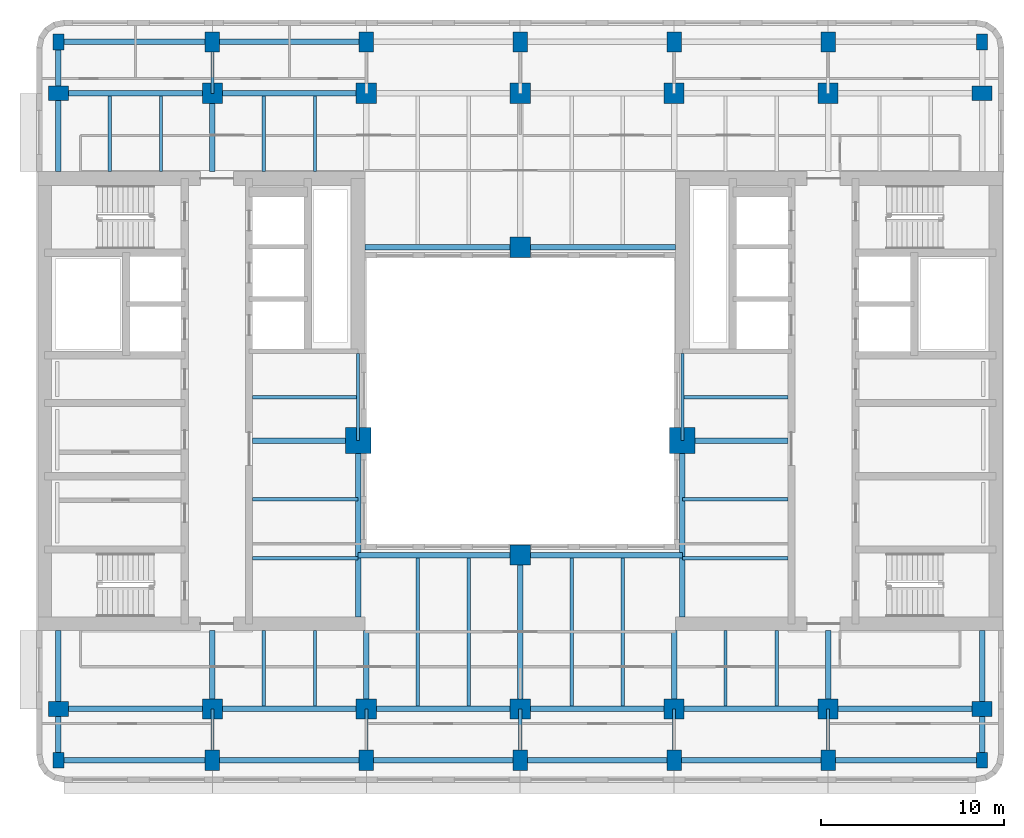
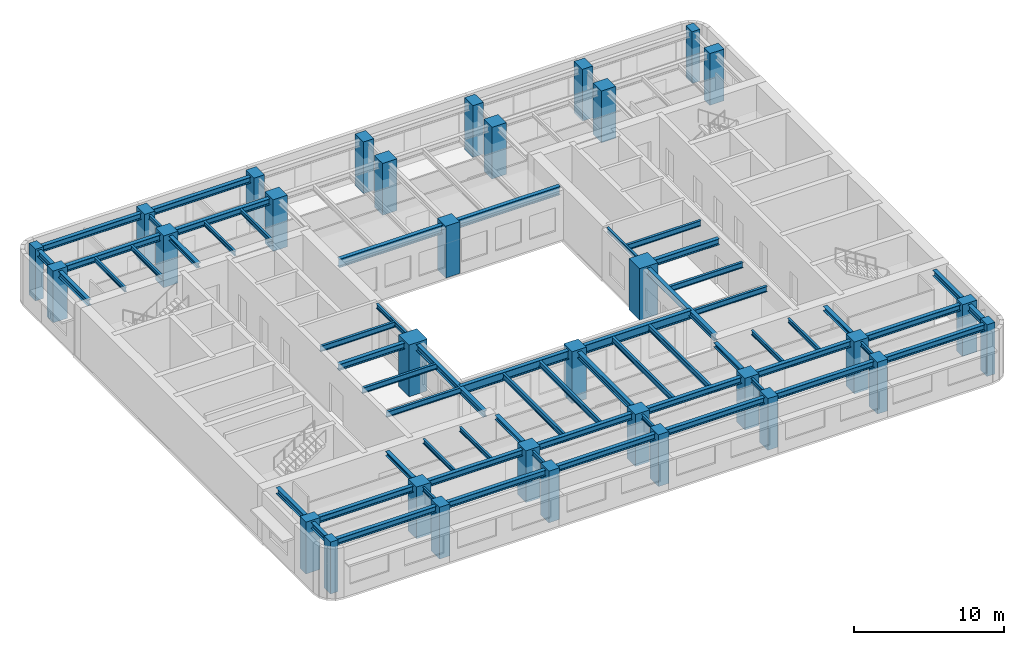
# One storey, part 1 of 11: 62 beams, 32 columns.
"""IFC4 building model written with IfcOpenShell, lengths in metres."""

from ifc_helpers import new_model, si_unit, direction, frame, origin, origin_2d, place, context, subcontext, project, spatial, rectangle, i_section, extrude, material, material_profile, profile_set, type_object, element, save


model = new_model("IFC4")

# Units and contexts
model_context = context("Model", 3, precision=1e-05, world=origin(), true_north=direction((0.0, 1.0)))
body_context = subcontext(model_context, "Body", "Model", "MODEL_VIEW")
ifc_project = project(units=[si_unit("LENGTHUNIT", "METRE"), si_unit("AREAUNIT", "SQUARE_METRE"), si_unit("VOLUMEUNIT", "CUBIC_METRE"), si_unit("PLANEANGLEUNIT", "RADIAN"), si_unit("MASSUNIT", "GRAM", prefix="KILO")], contexts=[model_context])

# Site, building, storey
site_placement = place(None, origin())
site = spatial("IfcSite", under=ifc_project, at=site_placement, CompositionType="ELEMENT")
building_placement = place(site_placement, origin())
building = spatial("IfcBuilding", under=site, at=building_placement, Name="Claustro Exchange Tower", CompositionType="ELEMENT")
storey_placement = place(building_placement, frame((0.0, 0.0, 190.199951171875)))
storey = spatial("IfcBuildingStorey", under=building, at=storey_placement, Name="L43", CompositionType="ELEMENT", Elevation=190.199951171875)

# Columns
ifc_material_1 = material(Name="Concrete HA-70 (C70/85)", Category="concrete")
ifc_material_profile_1 = material_profile(ifc_material_1, rectangle(XDim=1.39990234375, YDim=1.39990234375, at=origin_2d()), Name="RC 1400x1400")
ifc_profile_set_1 = profile_set([ifc_material_profile_1], Name="Concrete HA-70 (C70/85)")
column_type_1 = type_object("IfcColumnType", Name="C0 RC 1400x1400 HA-70 column", PredefinedType="COLUMN", material=ifc_profile_set_1)
for number, where, z_axis, x_axis, name in (
    (1, (16.35009765625, 23.050048828125, 0.0), (0.0, 0.0, 1.0), (1.0, 0.0, 0.0), "Column C0 2+7950/C+6250 L43"),
    (2, (34.050048828125, 23.050048828125, 0.0), (0.0, 0.0, 1.0), (1.0, 0.0, 0.0), "Column C0 5+450/C+6250 L43"),
):
    element("IfcColumn", number, at=place(storey_placement, frame(where, z_axis=z_axis, x_axis=x_axis)), inside=storey, type_object=column_type_1, Name=name, PredefinedType="COLUMN", context=body_context, shape_type="SweptSolid", body=[
        extrude(rectangle(XDim=1.39990234375, YDim=1.39990234375, at=origin_2d()), origin(), (0.0, 0.0, 1.0), 4.199951171875),
    ])
ifc_material_2 = material(Name="Concrete HA-70 (C70/85)", Category="concrete")
ifc_material_profile_2 = material_profile(ifc_material_2, rectangle(XDim=1.10009765625, YDim=1.10009765625, at=origin_2d()), Name="RC 1100x1100")
ifc_profile_set_2 = profile_set([ifc_material_profile_2], Name="Concrete HA-70 (C70/85)")
column_type_2 = type_object("IfcColumnType", Name="C17 RC 1100x1100 HA-70 column", PredefinedType="COLUMN", material=ifc_profile_set_2)
for number, where, z_axis, x_axis, name in (
    (3, (8.39990234375, 8.39990234375, 0.0), (0.0, 0.0, 1.0), (1.0, 0.0, 0.0), "Column C17 2/B L43"),
    (4, (8.39990234375, 42.0, 0.0), (0.0, 0.0, 1.0), (1.0, 0.0, 0.0), "Column C17 2/F L43"),
    (5, (16.800048828125, 8.39990234375, 0.0), (0.0, 0.0, 1.0), (1.0, 0.0, 0.0), "Column C17 3/B L43"),
    (6, (16.800048828125, 42.0, 0.0), (0.0, 0.0, 1.0), (1.0, 0.0, 0.0), "Column C17 3/F L43"),
    (7, (25.199951171875, 8.39990234375, 0.0), (0.0, 0.0, 1.0), (1.0, 0.0, 0.0), "Column C17 4/B L43"),
    (8, (25.199951171875, 42.0, 0.0), (0.0, 0.0, 1.0), (1.0, 0.0, 0.0), "Column C17 4/F L43"),
    (9, (25.199951171875, 16.800048828125, 0.0), (0.0, 0.0, 1.0), (1.0, 0.0, 0.0), "Column C17 4/C L43"),
    (10, (25.199951171875, 33.60009765625, 0.0), (0.0, 0.0, 1.0), (1.0, 0.0, 0.0), "Column C17 4/E L43"),
    (11, (33.60009765625, 8.39990234375, 0.0), (0.0, 0.0, 1.0), (1.0, 0.0, 0.0), "Column C17 5/B L43"),
    (12, (33.60009765625, 42.0, 0.0), (0.0, 0.0, 1.0), (1.0, 0.0, 0.0), "Column C17 5/F L43"),
    (13, (42.0, 8.39990234375, 0.0), (0.0, 0.0, 1.0), (1.0, 0.0, 0.0), "Column C17 6/B L43"),
    (14, (42.0, 42.0, 0.0), (0.0, 0.0, 1.0), (1.0, 0.0, 0.0), "Column C17 6/F L43"),
):
    element("IfcColumn", number, at=place(storey_placement, frame(where, z_axis=z_axis, x_axis=x_axis)), inside=storey, type_object=column_type_2, Name=name, PredefinedType="COLUMN", context=body_context, shape_type="SweptSolid", body=[
        extrude(rectangle(XDim=1.10009765625, YDim=1.10009765625, at=origin_2d()), origin(), (0.0, 0.0, 1.0), 4.199951171875),
    ])
ifc_material_3 = material(Name="Concrete HA-50 (C50/60)", Category="concrete")
ifc_material_profile_3 = material_profile(ifc_material_3, rectangle(XDim=0.800048828125, YDim=1.10009765625, at=origin_2d()), Name="RC 800x1100")
ifc_profile_set_3 = profile_set([ifc_material_profile_3], Name="Concrete HA-50 (C50/60)")
column_type_3 = type_object("IfcColumnType", Name="C23 RC 800x1100 HA-50 perimeter column", PredefinedType="COLUMN", material=ifc_profile_set_3)
for number, where, z_axis, x_axis, name in (
    (15, (0.0, 8.39990234375, 0.0), (0.0, 0.0, 1.0), (0.0, 1.0, 0.0), "Column C23 1/B L43"),
    (16, (0.0, 42.0, 0.0), (0.0, 0.0, 1.0), (0.0, 1.0, 0.0), "Column C23 1/F L43"),
    (17, (8.39990234375, 5.60009765625, 0.0), (0.0, 0.0, 1.0), (1.0, 0.0, 0.0), "Column C23 2/A+5600 L43"),
    (18, (8.39990234375, 44.800048828125, 0.0), (0.0, 0.0, 1.0), (1.0, 0.0, 0.0), "Column C23 2/F+2800 L43"),
    (19, (16.800048828125, 5.60009765625, 0.0), (0.0, 0.0, 1.0), (1.0, 0.0, 0.0), "Column C23 3/A+5600 L43"),
    (20, (16.800048828125, 44.800048828125, 0.0), (0.0, 0.0, 1.0), (1.0, 0.0, 0.0), "Column C23 3/F+2800 L43"),
    (21, (25.199951171875, 5.60009765625, 0.0), (0.0, 0.0, 1.0), (1.0, 0.0, 0.0), "Column C23 4/A+5600 L43"),
    (22, (25.199951171875, 44.800048828125, 0.0), (0.0, 0.0, 1.0), (1.0, 0.0, 0.0), "Column C23 4/F+2800 L43"),
    (23, (33.60009765625, 5.60009765625, 0.0), (0.0, 0.0, 1.0), (1.0, 0.0, 0.0), "Column C23 5/A+5600 L43"),
    (24, (33.60009765625, 44.800048828125, 0.0), (0.0, 0.0, 1.0), (1.0, 0.0, 0.0), "Column C23 5/F+2800 L43"),
    (25, (42.0, 5.60009765625, 0.0), (0.0, 0.0, 1.0), (1.0, 0.0, 0.0), "Column C23 6/A+5600 L43"),
    (26, (42.0, 44.800048828125, 0.0), (0.0, 0.0, 1.0), (1.0, 0.0, 0.0), "Column C23 6/F+2800 L43"),
    (27, (50.39990234375, 8.39990234375, 0.0), (0.0, 0.0, 1.0), (0.0, 1.0, 0.0), "Column C23 7/B L43"),
    (28, (50.39990234375, 42.0, 0.0), (0.0, 0.0, 1.0), (0.0, 1.0, 0.0), "Column C23 7/F L43"),
):
    element("IfcColumn", number, at=place(storey_placement, frame(where, z_axis=z_axis, x_axis=x_axis)), inside=storey, type_object=column_type_3, Name=name, PredefinedType="COLUMN", context=body_context, shape_type="SweptSolid", body=[
        extrude(rectangle(XDim=0.800048828125, YDim=1.10009765625, at=origin_2d()), origin(), (0.0, 0.0, 1.0), 4.199951171875),
    ])
ifc_material_4 = material(Name="Concrete HA-50 (C50/60)", Category="concrete")
ifc_material_profile_4 = material_profile(ifc_material_4, rectangle(XDim=0.60009765625, YDim=0.85009765625, at=origin_2d()), Name="RC 600x850")
ifc_profile_set_4 = profile_set([ifc_material_profile_4], Name="Concrete HA-50 (C50/60)")
column_type_4 = type_object("IfcColumnType", Name="C25 RC 600x850 HA-50 corner column", PredefinedType="COLUMN", material=ifc_profile_set_4)
for number, where, z_axis, x_axis, name in (
    (29, (0.0, 5.60009765625, 0.0), (0.0, 0.0, 1.0), (1.0, 0.0, 0.0), "Column C25 1/A+5600 L43"),
    (30, (0.0, 44.800048828125, 0.0), (0.0, 0.0, 1.0), (1.0, 0.0, 0.0), "Column C25 1/F+2800 L43"),
    (31, (50.39990234375, 5.60009765625, 0.0), (0.0, 0.0, 1.0), (1.0, 0.0, 0.0), "Column C25 7/A+5600 L43"),
    (32, (50.39990234375, 44.800048828125, 0.0), (0.0, 0.0, 1.0), (1.0, 0.0, 0.0), "Column C25 7/F+2800 L43"),
):
    element("IfcColumn", number, at=place(storey_placement, frame(where, z_axis=z_axis, x_axis=x_axis)), inside=storey, type_object=column_type_4, Name=name, PredefinedType="COLUMN", context=body_context, shape_type="SweptSolid", body=[
        extrude(rectangle(XDim=0.60009765625, YDim=0.85009765625, at=origin_2d()), origin(), (0.0, 0.0, 1.0), 4.199951171875),
    ])

# Beams
ifc_material_5 = material(Name="Steel S355", Category="steel")
ifc_material_profile_5 = material_profile(ifc_material_5, i_section(OverallWidth=0.300048828125, OverallDepth=0.68994140625, WebThickness=0.014404296875, FlangeThickness=0.027099609375, FilletRadius=0.027099609375, at=origin_2d()), Name="HE 700 A")
ifc_profile_set_5 = profile_set([ifc_material_profile_5], Name="Steel S355")
beam_type_1 = type_object("IfcBeamType", Name="B13 HE 700 A light well edge girder", PredefinedType="BEAM", material=ifc_profile_set_5)
beam_1_placement = place(storey_placement, frame((16.35009765625, 16.800048828125, 3.705078125), z_axis=(1.0, 0.0, 0.0), x_axis=(0.0, 1.0, 0.0)))
element("IfcBeam", 33, at=beam_1_placement, inside=storey, type_object=beam_type_1, Name="Beam B13 L44", PredefinedType="BEAM", context=body_context, shape_type="SweptSolid", body=[
    extrude(i_section(OverallWidth=0.300048828125, OverallDepth=0.68994140625, WebThickness=0.014404296875, FlangeThickness=0.027099609375, FilletRadius=0.027099609375, at=origin_2d()), origin(), (0.0, 0.0, 1.0), 8.849853515625),
])
beam_2_placement = place(storey_placement, frame((25.199951171875, 16.800048828125, 3.705078125), z_axis=(1.0, 0.0, 0.0), x_axis=(0.0, 1.0, 0.0)))
element("IfcBeam", 34, at=beam_2_placement, inside=storey, type_object=beam_type_1, Name="Beam B13 L44", PredefinedType="BEAM", context=body_context, shape_type="SweptSolid", body=[
    extrude(i_section(OverallWidth=0.300048828125, OverallDepth=0.68994140625, WebThickness=0.014404296875, FlangeThickness=0.027099609375, FilletRadius=0.027099609375, at=origin_2d()), origin(), (0.0, 0.0, 1.0), 8.85009765625),
])
beam_3_placement = place(storey_placement, frame((16.72509765625, 33.60009765625, 3.705078125), z_axis=(1.0, 0.0, 0.0), x_axis=(0.0, 1.0, 0.0)))
element("IfcBeam", 35, at=beam_3_placement, inside=storey, type_object=beam_type_1, Name="Beam B13 L44", PredefinedType="BEAM", context=body_context, shape_type="SweptSolid", body=[
    extrude(i_section(OverallWidth=0.300048828125, OverallDepth=0.68994140625, WebThickness=0.014404296875, FlangeThickness=0.027099609375, FilletRadius=0.027099609375, at=origin_2d()), origin(), (0.0, 0.0, 1.0), 8.474853515625),
])
beam_4_placement = place(storey_placement, frame((25.199951171875, 33.60009765625, 3.705078125), z_axis=(1.0, 0.0, 0.0), x_axis=(0.0, 1.0, 0.0)))
element("IfcBeam", 36, at=beam_4_placement, inside=storey, type_object=beam_type_1, Name="Beam B13 L44", PredefinedType="BEAM", context=body_context, shape_type="SweptSolid", body=[
    extrude(i_section(OverallWidth=0.300048828125, OverallDepth=0.68994140625, WebThickness=0.014404296875, FlangeThickness=0.027099609375, FilletRadius=0.027099609375, at=origin_2d()), origin(), (0.0, 0.0, 1.0), 8.47509765625),
])
ifc_material_6 = material(Name="Steel S355", Category="steel")
ifc_material_profile_6 = material_profile(ifc_material_6, i_section(OverallWidth=0.169921875, OverallDepth=0.360107421875, WebThickness=0.008056640625, FlangeThickness=0.0126953125, FilletRadius=0.01806640625, at=origin_2d()), Name="IPE 360")
ifc_profile_set_6 = profile_set([ifc_material_profile_6], Name="Steel S355")
beam_type_2 = type_object("IfcBeamType", Name="B16 IPE 360 short-span beam", PredefinedType="BEAM", material=ifc_profile_set_6)
beam_5_placement = place(storey_placement, frame((8.39990234375, 5.60009765625, 3.8701171875), z_axis=(0.0, 1.0, 0.0), x_axis=(-1.0, 0.0, 0.0)))
element("IfcBeam", 37, at=beam_5_placement, inside=storey, type_object=beam_type_2, Name="Beam B16 L44", PredefinedType="BEAM", context=body_context, shape_type="SweptSolid", body=[
    extrude(i_section(OverallWidth=0.169921875, OverallDepth=0.360107421875, WebThickness=0.008056640625, FlangeThickness=0.0126953125, FilletRadius=0.01806640625, at=origin_2d()), origin(), (0.0, 0.0, 1.0), 2.7998046875),
])
beam_6_placement = place(storey_placement, frame((8.39990234375, 42.0, 3.8701171875), z_axis=(0.0, 1.0, 0.0), x_axis=(-1.0, 0.0, 0.0)))
element("IfcBeam", 38, at=beam_6_placement, inside=storey, type_object=beam_type_2, Name="Beam B16 L44", PredefinedType="BEAM", context=body_context, shape_type="SweptSolid", body=[
    extrude(i_section(OverallWidth=0.169921875, OverallDepth=0.360107421875, WebThickness=0.008056640625, FlangeThickness=0.0126953125, FilletRadius=0.01806640625, at=origin_2d()), origin(), (0.0, 0.0, 1.0), 2.800048828125),
])
for number, where, z_axis, x_axis, name in (
    (39, (16.800048828125, 5.60009765625, 3.8701171875), (0.0, 1.0, 0.0), (-1.0, 0.0, 0.0), "Beam B16 L44"),
    (40, (25.199951171875, 5.60009765625, 3.8701171875), (0.0, 1.0, 0.0), (-1.0, 0.0, 0.0), "Beam B16 L44"),
    (41, (33.60009765625, 5.60009765625, 3.8701171875), (0.0, 1.0, 0.0), (-1.0, 0.0, 0.0), "Beam B16 L44"),
    (42, (42.0, 5.60009765625, 3.8701171875), (0.0, 1.0, 0.0), (-1.0, 0.0, 0.0), "Beam B16 L44"),
):
    element("IfcBeam", number, at=place(storey_placement, frame(where, z_axis=z_axis, x_axis=x_axis)), inside=storey, type_object=beam_type_2, Name=name, PredefinedType="BEAM", context=body_context, shape_type="SweptSolid", body=[
        extrude(i_section(OverallWidth=0.169921875, OverallDepth=0.360107421875, WebThickness=0.008056640625, FlangeThickness=0.0126953125, FilletRadius=0.01806640625, at=origin_2d()), origin(), (0.0, 0.0, 1.0), 2.7998046875),
    ])
for number, where, z_axis, x_axis, name in (
    (43, (2.800048828125, 37.72509765625, 3.8701171875), (0.0, 1.0, 0.0), (-1.0, 0.0, 0.0), "Beam B16 L44"),
    (44, (5.60009765625, 37.72509765625, 3.8701171875), (0.0, 1.0, 0.0), (-1.0, 0.0, 0.0), "Beam B16 L44"),
    (45, (11.199951171875, 8.550048828125, 3.8701171875), (0.0, 1.0, 0.0), (-1.0, 0.0, 0.0), "Beam B16 L44"),
    (46, (14.0, 8.550048828125, 3.8701171875), (0.0, 1.0, 0.0), (-1.0, 0.0, 0.0), "Beam B16 L44"),
    (47, (11.199951171875, 37.72509765625, 3.8701171875), (0.0, 1.0, 0.0), (-1.0, 0.0, 0.0), "Beam B16 L44"),
    (48, (14.0, 37.72509765625, 3.8701171875), (0.0, 1.0, 0.0), (-1.0, 0.0, 0.0), "Beam B16 L44"),
    (49, (36.39990234375, 8.550048828125, 3.8701171875), (0.0, 1.0, 0.0), (-1.0, 0.0, 0.0), "Beam B16 L44"),
    (50, (39.199951171875, 8.550048828125, 3.8701171875), (0.0, 1.0, 0.0), (-1.0, 0.0, 0.0), "Beam B16 L44"),
):
    element("IfcBeam", number, at=place(storey_placement, frame(where, z_axis=z_axis, x_axis=x_axis)), inside=storey, type_object=beam_type_2, Name=name, PredefinedType="BEAM", context=body_context, shape_type="SweptSolid", body=[
        extrude(i_section(OverallWidth=0.169921875, OverallDepth=0.360107421875, WebThickness=0.008056640625, FlangeThickness=0.0126953125, FilletRadius=0.01806640625, at=origin_2d()), origin(), (0.0, 0.0, 1.0), 4.125),
    ])
for number, where, z_axis, x_axis, name in (
    (51, (16.35009765625, 23.050048828125, 3.8701171875), (0.0, 1.0, 0.0), (-1.0, 0.0, 0.0), "Beam B16 core step framing L44"),
    (52, (34.050048828125, 23.050048828125, 3.8701171875), (0.0, 1.0, 0.0), (-1.0, 0.0, 0.0), "Beam B16 core step framing L44"),
):
    element("IfcBeam", number, at=place(storey_placement, frame(where, z_axis=z_axis, x_axis=x_axis)), inside=storey, type_object=beam_type_2, Name=name, PredefinedType="BEAM", context=body_context, shape_type="SweptSolid", body=[
        extrude(i_section(OverallWidth=0.169921875, OverallDepth=0.360107421875, WebThickness=0.008056640625, FlangeThickness=0.0126953125, FilletRadius=0.01806640625, at=origin_2d()), origin(), (0.0, 0.0, 1.0), 4.75),
    ])
ifc_material_7 = material(Name="Steel S355", Category="steel")
ifc_material_profile_7 = material_profile(ifc_material_7, i_section(OverallWidth=0.300048828125, OverallDepth=0.360107421875, WebThickness=0.012451171875, FlangeThickness=0.0224609375, FilletRadius=0.027099609375, at=origin_2d()), Name="HE 360 B")
ifc_profile_set_7 = profile_set([ifc_material_profile_7], Name="Steel S355")
beam_type_3 = type_object("IfcBeamType", Name="B29 HE 360 B column to core link beam", PredefinedType="BEAM", material=ifc_profile_set_7)
beam_7_placement = place(storey_placement, frame((8.39990234375, 8.39990234375, 3.8701171875), z_axis=(0.0, 1.0, 0.0), x_axis=(-1.0, 0.0, 0.0)))
element("IfcBeam", 53, at=beam_7_placement, inside=storey, type_object=beam_type_3, Name="Beam B29 L44", PredefinedType="BEAM", context=body_context, shape_type="SweptSolid", body=[
    extrude(i_section(OverallWidth=0.300048828125, OverallDepth=0.360107421875, WebThickness=0.012451171875, FlangeThickness=0.0224609375, FilletRadius=0.027099609375, at=origin_2d()), origin(), (0.0, 0.0, 1.0), 4.275146484375),
])
beam_8_placement = place(storey_placement, frame((8.39990234375, 37.72509765625, 3.8701171875), z_axis=(0.0, 1.0, 0.0), x_axis=(-1.0, 0.0, 0.0)))
element("IfcBeam", 54, at=beam_8_placement, inside=storey, type_object=beam_type_3, Name="Beam B29 L44", PredefinedType="BEAM", context=body_context, shape_type="SweptSolid", body=[
    extrude(i_section(OverallWidth=0.300048828125, OverallDepth=0.360107421875, WebThickness=0.012451171875, FlangeThickness=0.0224609375, FilletRadius=0.027099609375, at=origin_2d()), origin(), (0.0, 0.0, 1.0), 4.27490234375),
])
for number, where, z_axis, x_axis, name in (
    (55, (16.800048828125, 8.39990234375, 3.8701171875), (0.0, 1.0, 0.0), (-1.0, 0.0, 0.0), "Beam B29 L44"),
    (56, (33.60009765625, 8.39990234375, 3.8701171875), (0.0, 1.0, 0.0), (-1.0, 0.0, 0.0), "Beam B29 L44"),
    (57, (42.0, 8.39990234375, 3.8701171875), (0.0, 1.0, 0.0), (-1.0, 0.0, 0.0), "Beam B29 L44"),
):
    element("IfcBeam", number, at=place(storey_placement, frame(where, z_axis=z_axis, x_axis=x_axis)), inside=storey, type_object=beam_type_3, Name=name, PredefinedType="BEAM", context=body_context, shape_type="SweptSolid", body=[
        extrude(i_section(OverallWidth=0.300048828125, OverallDepth=0.360107421875, WebThickness=0.012451171875, FlangeThickness=0.0224609375, FilletRadius=0.027099609375, at=origin_2d()), origin(), (0.0, 0.0, 1.0), 4.275146484375),
    ])
ifc_material_8 = material(Name="Steel S355", Category="steel")
ifc_material_profile_8 = material_profile(ifc_material_8, i_section(OverallWidth=0.300048828125, OverallDepth=0.5, WebThickness=0.014404296875, FlangeThickness=0.028076171875, FilletRadius=0.027099609375, at=origin_2d()), Name="HE 500 B")
ifc_profile_set_8 = profile_set([ifc_material_profile_8], Name="Steel S355")
beam_type_4 = type_object("IfcBeamType", Name="B7 HE 500 B floor girder", PredefinedType="BEAM", material=ifc_profile_set_8)
beam_9_placement = place(storey_placement, frame((25.199951171875, 8.39990234375, 3.800048828125), z_axis=(0.0, 1.0, 0.0), x_axis=(-1.0, 0.0, 0.0)))
element("IfcBeam", 58, at=beam_9_placement, inside=storey, type_object=beam_type_4, Name="Beam B7 L44", PredefinedType="BEAM", context=body_context, shape_type="SweptSolid", body=[
    extrude(i_section(OverallWidth=0.300048828125, OverallDepth=0.5, WebThickness=0.014404296875, FlangeThickness=0.028076171875, FilletRadius=0.027099609375, at=origin_2d()), origin(), (0.0, 0.0, 1.0), 8.400146484375),
])
beam_10_placement = place(storey_placement, frame((0.0, 8.39990234375, 3.800048828125), z_axis=(1.0, 0.0, 0.0), x_axis=(0.0, 1.0, 0.0)))
element("IfcBeam", 59, at=beam_10_placement, inside=storey, type_object=beam_type_4, Name="Beam B7 L44", PredefinedType="BEAM", context=body_context, shape_type="SweptSolid", body=[
    extrude(i_section(OverallWidth=0.300048828125, OverallDepth=0.5, WebThickness=0.014404296875, FlangeThickness=0.028076171875, FilletRadius=0.027099609375, at=origin_2d()), origin(), (0.0, 0.0, 1.0), 8.39990234375),
])
beam_11_placement = place(storey_placement, frame((8.39990234375, 8.39990234375, 3.800048828125), z_axis=(1.0, 0.0, 0.0), x_axis=(0.0, 1.0, 0.0)))
element("IfcBeam", 60, at=beam_11_placement, inside=storey, type_object=beam_type_4, Name="Beam B7 L44", PredefinedType="BEAM", context=body_context, shape_type="SweptSolid", body=[
    extrude(i_section(OverallWidth=0.300048828125, OverallDepth=0.5, WebThickness=0.014404296875, FlangeThickness=0.028076171875, FilletRadius=0.027099609375, at=origin_2d()), origin(), (0.0, 0.0, 1.0), 8.400146484375),
])
beam_12_placement = place(storey_placement, frame((16.800048828125, 8.39990234375, 3.800048828125), z_axis=(1.0, 0.0, 0.0), x_axis=(0.0, 1.0, 0.0)))
element("IfcBeam", 61, at=beam_12_placement, inside=storey, type_object=beam_type_4, Name="Beam B7 L44", PredefinedType="BEAM", context=body_context, shape_type="SweptSolid", body=[
    extrude(i_section(OverallWidth=0.300048828125, OverallDepth=0.5, WebThickness=0.014404296875, FlangeThickness=0.028076171875, FilletRadius=0.027099609375, at=origin_2d()), origin(), (0.0, 0.0, 1.0), 8.39990234375),
])
beam_13_placement = place(storey_placement, frame((25.199951171875, 8.39990234375, 3.800048828125), z_axis=(1.0, 0.0, 0.0), x_axis=(0.0, 1.0, 0.0)))
element("IfcBeam", 62, at=beam_13_placement, inside=storey, type_object=beam_type_4, Name="Beam B7 L44", PredefinedType="BEAM", context=body_context, shape_type="SweptSolid", body=[
    extrude(i_section(OverallWidth=0.300048828125, OverallDepth=0.5, WebThickness=0.014404296875, FlangeThickness=0.028076171875, FilletRadius=0.027099609375, at=origin_2d()), origin(), (0.0, 0.0, 1.0), 8.400146484375),
])
for number, where, z_axis, x_axis, name in (
    (63, (33.60009765625, 8.39990234375, 3.800048828125), (1.0, 0.0, 0.0), (0.0, 1.0, 0.0), "Beam B7 L44"),
    (64, (42.0, 8.39990234375, 3.800048828125), (1.0, 0.0, 0.0), (0.0, 1.0, 0.0), "Beam B7 L44"),
    (65, (0.0, 42.0, 3.800048828125), (1.0, 0.0, 0.0), (0.0, 1.0, 0.0), "Beam B7 L44"),
):
    element("IfcBeam", number, at=place(storey_placement, frame(where, z_axis=z_axis, x_axis=x_axis)), inside=storey, type_object=beam_type_4, Name=name, PredefinedType="BEAM", context=body_context, shape_type="SweptSolid", body=[
        extrude(i_section(OverallWidth=0.300048828125, OverallDepth=0.5, WebThickness=0.014404296875, FlangeThickness=0.028076171875, FilletRadius=0.027099609375, at=origin_2d()), origin(), (0.0, 0.0, 1.0), 8.39990234375),
    ])
beam_14_placement = place(storey_placement, frame((8.39990234375, 42.0, 3.800048828125), z_axis=(1.0, 0.0, 0.0), x_axis=(0.0, 1.0, 0.0)))
element("IfcBeam", 66, at=beam_14_placement, inside=storey, type_object=beam_type_4, Name="Beam B7 L44", PredefinedType="BEAM", context=body_context, shape_type="SweptSolid", body=[
    extrude(i_section(OverallWidth=0.300048828125, OverallDepth=0.5, WebThickness=0.014404296875, FlangeThickness=0.028076171875, FilletRadius=0.027099609375, at=origin_2d()), origin(), (0.0, 0.0, 1.0), 8.400146484375),
])
beam_15_placement = place(storey_placement, frame((10.60009765625, 23.050048828125, 3.800048828125), z_axis=(1.0, 0.0, 0.0), x_axis=(0.0, 1.0, 0.0)))
element("IfcBeam", 67, at=beam_15_placement, inside=storey, type_object=beam_type_4, Name="Beam B7 core step framing L44", PredefinedType="BEAM", context=body_context, shape_type="SweptSolid", body=[
    extrude(i_section(OverallWidth=0.300048828125, OverallDepth=0.5, WebThickness=0.014404296875, FlangeThickness=0.028076171875, FilletRadius=0.027099609375, at=origin_2d()), origin(), (0.0, 0.0, 1.0), 5.75),
])
beam_16_placement = place(storey_placement, frame((16.35009765625, 13.425048828125, 3.800048828125), z_axis=(0.0, 1.0, 0.0), x_axis=(-1.0, 0.0, 0.0)))
element("IfcBeam", 68, at=beam_16_placement, inside=storey, type_object=beam_type_4, Name="Beam B7 core step framing L44", PredefinedType="BEAM", context=body_context, shape_type="SweptSolid", body=[
    extrude(i_section(OverallWidth=0.300048828125, OverallDepth=0.5, WebThickness=0.014404296875, FlangeThickness=0.028076171875, FilletRadius=0.027099609375, at=origin_2d()), origin(), (0.0, 0.0, 1.0), 9.625),
])
beam_17_placement = place(storey_placement, frame((34.050048828125, 23.050048828125, 3.800048828125), z_axis=(1.0, 0.0, 0.0), x_axis=(0.0, 1.0, 0.0)))
element("IfcBeam", 69, at=beam_17_placement, inside=storey, type_object=beam_type_4, Name="Beam B7 core step framing L44", PredefinedType="BEAM", context=body_context, shape_type="SweptSolid", body=[
    extrude(i_section(OverallWidth=0.300048828125, OverallDepth=0.5, WebThickness=0.014404296875, FlangeThickness=0.028076171875, FilletRadius=0.027099609375, at=origin_2d()), origin(), (0.0, 0.0, 1.0), 5.75),
])
beam_18_placement = place(storey_placement, frame((34.050048828125, 13.425048828125, 3.800048828125), z_axis=(0.0, 1.0, 0.0), x_axis=(-1.0, 0.0, 0.0)))
element("IfcBeam", 70, at=beam_18_placement, inside=storey, type_object=beam_type_4, Name="Beam B7 core step framing L44", PredefinedType="BEAM", context=body_context, shape_type="SweptSolid", body=[
    extrude(i_section(OverallWidth=0.300048828125, OverallDepth=0.5, WebThickness=0.014404296875, FlangeThickness=0.028076171875, FilletRadius=0.027099609375, at=origin_2d()), origin(), (0.0, 0.0, 1.0), 9.625),
])
ifc_material_9 = material(Name="Steel S355", Category="steel")
ifc_material_profile_9 = material_profile(ifc_material_9, i_section(OverallWidth=0.18994140625, OverallDepth=0.449951171875, WebThickness=0.009521484375, FlangeThickness=0.0146484375, FilletRadius=0.02099609375, at=origin_2d()), Name="IPE 450")
ifc_profile_set_9 = profile_set([ifc_material_profile_9], Name="Steel S355")
beam_type_5 = type_object("IfcBeamType", Name="B8 IPE 450 secondary beam", PredefinedType="BEAM", material=ifc_profile_set_9)
for number, where, z_axis, x_axis, name in (
    (71, (19.60009765625, 8.550048828125, 3.824951171875), (0.0, 1.0, 0.0), (-1.0, 0.0, 0.0), "Beam B8 L44"),
    (72, (22.39990234375, 8.550048828125, 3.824951171875), (0.0, 1.0, 0.0), (-1.0, 0.0, 0.0), "Beam B8 L44"),
    (73, (28.0, 8.550048828125, 3.824951171875), (0.0, 1.0, 0.0), (-1.0, 0.0, 0.0), "Beam B8 L44"),
    (74, (30.800048828125, 8.550048828125, 3.824951171875), (0.0, 1.0, 0.0), (-1.0, 0.0, 0.0), "Beam B8 L44"),
):
    element("IfcBeam", number, at=place(storey_placement, frame(where, z_axis=z_axis, x_axis=x_axis)), inside=storey, type_object=beam_type_5, Name=name, PredefinedType="BEAM", context=body_context, shape_type="SweptSolid", body=[
        extrude(i_section(OverallWidth=0.18994140625, OverallDepth=0.449951171875, WebThickness=0.009521484375, FlangeThickness=0.0146484375, FilletRadius=0.02099609375, at=origin_2d()), origin(), (0.0, 0.0, 1.0), 8.099853515625),
    ])
for number, where, z_axis, x_axis, name in (
    (75, (10.60009765625, 16.63330078125, 3.824951171875), (1.0, 0.0, 0.0), (0.0, 1.0, 0.0), "Beam B8 core step framing L44"),
    (76, (10.60009765625, 19.841796875, 3.824951171875), (1.0, 0.0, 0.0), (0.0, 1.0, 0.0), "Beam B8 core step framing L44"),
    (77, (10.60009765625, 25.425048828125, 3.824951171875), (1.0, 0.0, 0.0), (0.0, 1.0, 0.0), "Beam B8 core step framing L44"),
    (78, (34.050048828125, 16.63330078125, 3.824951171875), (1.0, 0.0, 0.0), (0.0, 1.0, 0.0), "Beam B8 core step framing L44"),
    (79, (34.050048828125, 19.841796875, 3.824951171875), (1.0, 0.0, 0.0), (0.0, 1.0, 0.0), "Beam B8 core step framing L44"),
    (80, (34.050048828125, 25.425048828125, 3.824951171875), (1.0, 0.0, 0.0), (0.0, 1.0, 0.0), "Beam B8 core step framing L44"),
):
    element("IfcBeam", number, at=place(storey_placement, frame(where, z_axis=z_axis, x_axis=x_axis)), inside=storey, type_object=beam_type_5, Name=name, PredefinedType="BEAM", context=body_context, shape_type="SweptSolid", body=[
        extrude(i_section(OverallWidth=0.18994140625, OverallDepth=0.449951171875, WebThickness=0.009521484375, FlangeThickness=0.0146484375, FilletRadius=0.02099609375, at=origin_2d()), origin(), (0.0, 0.0, 1.0), 5.75),
    ])
ifc_material_10 = material(Name="Steel S355", Category="steel")
ifc_material_profile_10 = material_profile(ifc_material_10, i_section(OverallWidth=0.300048828125, OverallDepth=0.489990234375, WebThickness=0.011962890625, FlangeThickness=0.02294921875, FilletRadius=0.027099609375, at=origin_2d()), Name="HE 500 A")
ifc_profile_set_10 = profile_set([ifc_material_profile_10], Name="Steel S355")
beam_type_6 = type_object("IfcBeamType", Name="B9 HE 500 A spandrel edge girder", PredefinedType="SPANDREL", material=ifc_profile_set_10)
beam_19_placement = place(storey_placement, frame((0.0, 5.60009765625, 3.804931640625), z_axis=(0.0, 1.0, 0.0), x_axis=(-1.0, 0.0, 0.0)))
element("IfcBeam", 81, at=beam_19_placement, inside=storey, type_object=beam_type_6, Name="Beam B9 L44", PredefinedType="SPANDREL", context=body_context, shape_type="SweptSolid", body=[
    extrude(i_section(OverallWidth=0.300048828125, OverallDepth=0.489990234375, WebThickness=0.011962890625, FlangeThickness=0.02294921875, FilletRadius=0.027099609375, at=origin_2d()), origin(), (0.0, 0.0, 1.0), 2.7998046875),
])
beam_20_placement = place(storey_placement, frame((0.0, 8.39990234375, 3.804931640625), z_axis=(0.0, 1.0, 0.0), x_axis=(-1.0, 0.0, 0.0)))
element("IfcBeam", 82, at=beam_20_placement, inside=storey, type_object=beam_type_6, Name="Beam B9 L44", PredefinedType="SPANDREL", context=body_context, shape_type="SweptSolid", body=[
    extrude(i_section(OverallWidth=0.300048828125, OverallDepth=0.489990234375, WebThickness=0.011962890625, FlangeThickness=0.02294921875, FilletRadius=0.027099609375, at=origin_2d()), origin(), (0.0, 0.0, 1.0), 4.275146484375),
])
beam_21_placement = place(storey_placement, frame((0.0, 37.72509765625, 3.804931640625), z_axis=(0.0, 1.0, 0.0), x_axis=(-1.0, 0.0, 0.0)))
element("IfcBeam", 83, at=beam_21_placement, inside=storey, type_object=beam_type_6, Name="Beam B9 L44", PredefinedType="SPANDREL", context=body_context, shape_type="SweptSolid", body=[
    extrude(i_section(OverallWidth=0.300048828125, OverallDepth=0.489990234375, WebThickness=0.011962890625, FlangeThickness=0.02294921875, FilletRadius=0.027099609375, at=origin_2d()), origin(), (0.0, 0.0, 1.0), 4.27490234375),
])
beam_22_placement = place(storey_placement, frame((0.0, 42.0, 3.804931640625), z_axis=(0.0, 1.0, 0.0), x_axis=(-1.0, 0.0, 0.0)))
element("IfcBeam", 84, at=beam_22_placement, inside=storey, type_object=beam_type_6, Name="Beam B9 L44", PredefinedType="SPANDREL", context=body_context, shape_type="SweptSolid", body=[
    extrude(i_section(OverallWidth=0.300048828125, OverallDepth=0.489990234375, WebThickness=0.011962890625, FlangeThickness=0.02294921875, FilletRadius=0.027099609375, at=origin_2d()), origin(), (0.0, 0.0, 1.0), 2.800048828125),
])
beam_23_placement = place(storey_placement, frame((50.39990234375, 5.60009765625, 3.804931640625), z_axis=(0.0, 1.0, 0.0), x_axis=(-1.0, 0.0, 0.0)))
element("IfcBeam", 85, at=beam_23_placement, inside=storey, type_object=beam_type_6, Name="Beam B9 L44", PredefinedType="SPANDREL", context=body_context, shape_type="SweptSolid", body=[
    extrude(i_section(OverallWidth=0.300048828125, OverallDepth=0.489990234375, WebThickness=0.011962890625, FlangeThickness=0.02294921875, FilletRadius=0.027099609375, at=origin_2d()), origin(), (0.0, 0.0, 1.0), 2.7998046875),
])
beam_24_placement = place(storey_placement, frame((50.39990234375, 8.39990234375, 3.804931640625), z_axis=(0.0, 1.0, 0.0), x_axis=(-1.0, 0.0, 0.0)))
element("IfcBeam", 86, at=beam_24_placement, inside=storey, type_object=beam_type_6, Name="Beam B9 L44", PredefinedType="SPANDREL", context=body_context, shape_type="SweptSolid", body=[
    extrude(i_section(OverallWidth=0.300048828125, OverallDepth=0.489990234375, WebThickness=0.011962890625, FlangeThickness=0.02294921875, FilletRadius=0.027099609375, at=origin_2d()), origin(), (0.0, 0.0, 1.0), 4.275146484375),
])
beam_25_placement = place(storey_placement, frame((0.0, 5.60009765625, 3.804931640625), z_axis=(1.0, 0.0, 0.0), x_axis=(0.0, 1.0, 0.0)))
element("IfcBeam", 87, at=beam_25_placement, inside=storey, type_object=beam_type_6, Name="Beam B9 L44", PredefinedType="SPANDREL", context=body_context, shape_type="SweptSolid", body=[
    extrude(i_section(OverallWidth=0.300048828125, OverallDepth=0.489990234375, WebThickness=0.011962890625, FlangeThickness=0.02294921875, FilletRadius=0.027099609375, at=origin_2d()), origin(), (0.0, 0.0, 1.0), 8.39990234375),
])
beam_26_placement = place(storey_placement, frame((8.39990234375, 5.60009765625, 3.804931640625), z_axis=(1.0, 0.0, 0.0), x_axis=(0.0, 1.0, 0.0)))
element("IfcBeam", 88, at=beam_26_placement, inside=storey, type_object=beam_type_6, Name="Beam B9 L44", PredefinedType="SPANDREL", context=body_context, shape_type="SweptSolid", body=[
    extrude(i_section(OverallWidth=0.300048828125, OverallDepth=0.489990234375, WebThickness=0.011962890625, FlangeThickness=0.02294921875, FilletRadius=0.027099609375, at=origin_2d()), origin(), (0.0, 0.0, 1.0), 8.400146484375),
])
beam_27_placement = place(storey_placement, frame((16.800048828125, 5.60009765625, 3.804931640625), z_axis=(1.0, 0.0, 0.0), x_axis=(0.0, 1.0, 0.0)))
element("IfcBeam", 89, at=beam_27_placement, inside=storey, type_object=beam_type_6, Name="Beam B9 L44", PredefinedType="SPANDREL", context=body_context, shape_type="SweptSolid", body=[
    extrude(i_section(OverallWidth=0.300048828125, OverallDepth=0.489990234375, WebThickness=0.011962890625, FlangeThickness=0.02294921875, FilletRadius=0.027099609375, at=origin_2d()), origin(), (0.0, 0.0, 1.0), 8.39990234375),
])
beam_28_placement = place(storey_placement, frame((25.199951171875, 5.60009765625, 3.804931640625), z_axis=(1.0, 0.0, 0.0), x_axis=(0.0, 1.0, 0.0)))
element("IfcBeam", 90, at=beam_28_placement, inside=storey, type_object=beam_type_6, Name="Beam B9 L44", PredefinedType="SPANDREL", context=body_context, shape_type="SweptSolid", body=[
    extrude(i_section(OverallWidth=0.300048828125, OverallDepth=0.489990234375, WebThickness=0.011962890625, FlangeThickness=0.02294921875, FilletRadius=0.027099609375, at=origin_2d()), origin(), (0.0, 0.0, 1.0), 8.400146484375),
])
for number, where, z_axis, x_axis, name in (
    (91, (33.60009765625, 5.60009765625, 3.804931640625), (1.0, 0.0, 0.0), (0.0, 1.0, 0.0), "Beam B9 L44"),
    (92, (42.0, 5.60009765625, 3.804931640625), (1.0, 0.0, 0.0), (0.0, 1.0, 0.0), "Beam B9 L44"),
    (93, (0.0, 44.800048828125, 3.804931640625), (1.0, 0.0, 0.0), (0.0, 1.0, 0.0), "Beam B9 L44"),
):
    element("IfcBeam", number, at=place(storey_placement, frame(where, z_axis=z_axis, x_axis=x_axis)), inside=storey, type_object=beam_type_6, Name=name, PredefinedType="SPANDREL", context=body_context, shape_type="SweptSolid", body=[
        extrude(i_section(OverallWidth=0.300048828125, OverallDepth=0.489990234375, WebThickness=0.011962890625, FlangeThickness=0.02294921875, FilletRadius=0.027099609375, at=origin_2d()), origin(), (0.0, 0.0, 1.0), 8.39990234375),
    ])
beam_29_placement = place(storey_placement, frame((8.39990234375, 44.800048828125, 3.804931640625), z_axis=(1.0, 0.0, 0.0), x_axis=(0.0, 1.0, 0.0)))
element("IfcBeam", 94, at=beam_29_placement, inside=storey, type_object=beam_type_6, Name="Beam B9 L44", PredefinedType="SPANDREL", context=body_context, shape_type="SweptSolid", body=[
    extrude(i_section(OverallWidth=0.300048828125, OverallDepth=0.489990234375, WebThickness=0.011962890625, FlangeThickness=0.02294921875, FilletRadius=0.027099609375, at=origin_2d()), origin(), (0.0, 0.0, 1.0), 8.400146484375),
])

save(model, "model.ifc")
